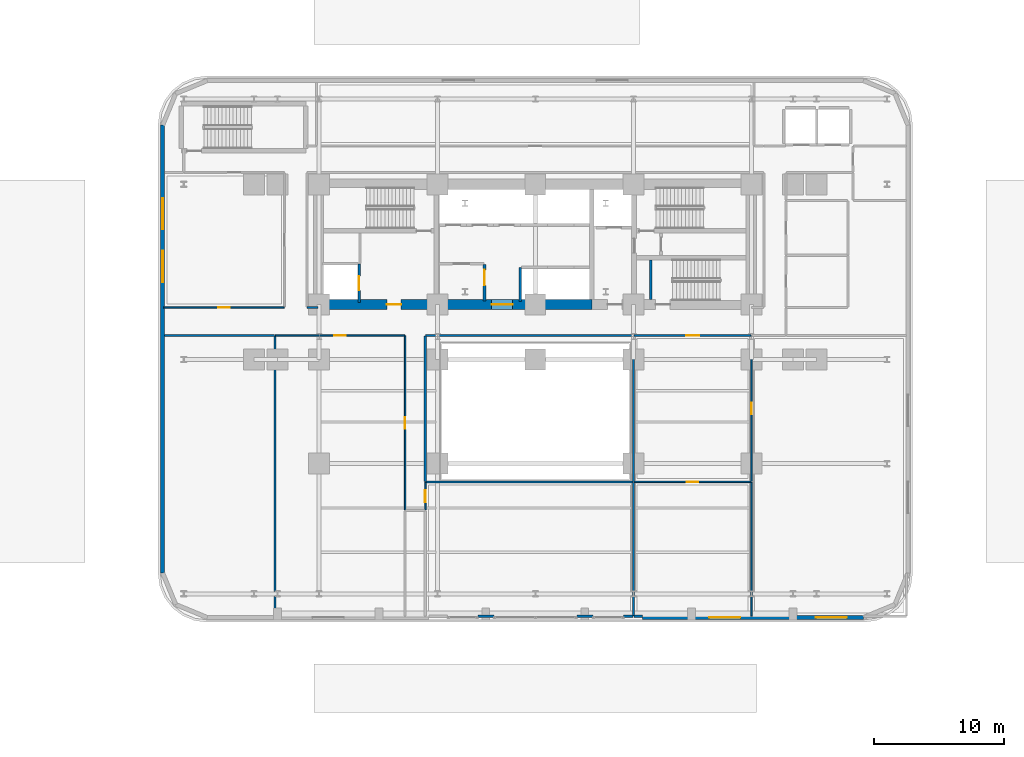
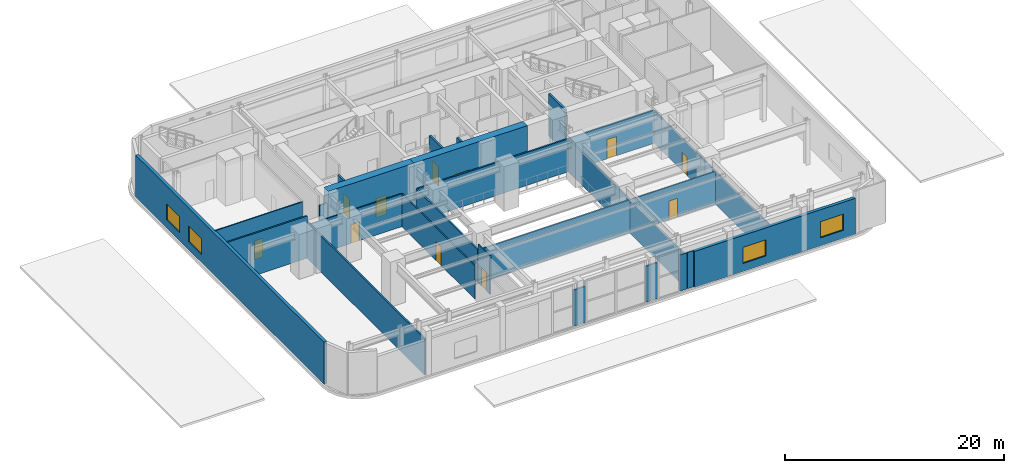
# One storey, part 5 of 12: 28 walls, 11 doors, 4 windows, 15 openings.
"""IFC4 building model written with IfcOpenShell, lengths in metres."""

from ifc_helpers import new_model, si_unit, direction, frame, frame_2d, origin, place, context, subcontext, project, spatial, rectangle, extrude, material, layer, layer_set, type_object, element, fill, save


model = new_model("IFC4")

# Units and contexts
model_context = context("Model", 3, precision=1e-05, world=origin(), true_north=direction((0.0, 1.0)))
body_context = subcontext(model_context, "Body", "Model", "MODEL_VIEW")
ifc_project = project(units=[si_unit("LENGTHUNIT", "METRE"), si_unit("AREAUNIT", "SQUARE_METRE"), si_unit("VOLUMEUNIT", "CUBIC_METRE"), si_unit("PLANEANGLEUNIT", "RADIAN"), si_unit("MASSUNIT", "GRAM", prefix="KILO")], contexts=[model_context])

# Site, building, storey
site_placement = place(None, origin())
site = spatial("IfcSite", under=ifc_project, at=site_placement, CompositionType="ELEMENT")
building_placement = place(site_placement, origin())
building = spatial("IfcBuilding", under=site, at=building_placement, Name="Zarnavel Station Tower", CompositionType="ELEMENT")
storey_placement = place(building_placement, frame((0.0, 0.0, 5.39990234375)))
storey = spatial("IfcBuildingStorey", under=building, at=storey_placement, Name="L02", CompositionType="ELEMENT", Elevation=5.39990234375)

# Wall, opening, door
ifc_material_1 = material(Name="Concrete C60/75", Category="concrete")
ifc_layer_1 = layer(ifc_material_1, 0.800048828125)
ifc_layer_set_1 = layer_set([ifc_layer_1], Name="CW_800")
wall_type_1 = type_object("IfcWallType", Name="CW_800", PredefinedType="SHEAR", material=ifc_layer_set_1)
wall_1_placement = place(storey_placement, frame((21.179931640625, 27.820068359375, 0.0), z_axis=(0.0, 0.0, 1.0), x_axis=(-1.0, 0.0, 0.0)))
wall_1 = element("IfcWall", 1, at=wall_1_placement, inside=storey, type_object=wall_type_1, Name="L02 Rear Core Shear Wall S-W", PredefinedType="SHEAR", context=body_context, shape_type="SweptSolid", body=[
    extrude(rectangle(XDim=9.030029296875, YDim=0.800048828125, at=frame_2d((4.51513671875, 0.0))), origin(), (0.0, 0.0, 1.0), 5.0),
])
opening_1_placement = place(wall_1_placement, frame((2.679931640625, 0.0, 0.0)))
opening_1 = element("IfcOpeningElement", 2, at=opening_1_placement, cuts=wall_1, Name="Opening FD01", PredefinedType="OPENING", context=body_context, shape_type="SweptSolid", body=[
    extrude(rectangle(XDim=1.10009765625, YDim=2.14990234375, at=frame_2d((0.550048828125, 1.074951171875))), frame((0.0, 0.409912109375, 0.0), z_axis=(0.0, -1.0, 0.0), x_axis=(1.0, 0.0, 0.0)), (0.0, 0.0, 1.0), 0.820068359375),
])
ifc_material_2 = material(Name="Painted Galvanised Steel and Hardwood Leaf", Category="steel")
door_type_1 = type_object("IfcDoorType", Name="ID_STAIR_1100", OperationType="NOTDEFINED", PredefinedType="DOOR", material=ifc_material_2)
door_1_placement = place(opening_1_placement, origin())
door_1 = element("IfcDoor", 3, at=door_1_placement, inside=storey, type_object=door_type_1, Name="L02 West Firefighting Lobby Door", OperationType="SINGLE_SWING_RIGHT", OverallHeight=2.14990234375, OverallWidth=1.10009765625, PredefinedType="DOOR", context=body_context, shape_type="SweptSolid", body=[
    extrude(rectangle(XDim=1.10009765625, YDim=2.14990234375, at=frame_2d((0.550048828125, 1.074951171875))), frame((0.0, 0.02490234375, 0.0), z_axis=(0.0, -1.0, 0.0), x_axis=(1.0, 0.0, 0.0)), (0.0, 0.0, 1.0), 0.050048828125),
])
fill(opening_1, door_1)

wall_2_placement = place(storey_placement, frame((33.14990234375, 27.820068359375, 0.0), z_axis=(0.0, 0.0, 1.0), x_axis=(-1.0, 0.0, 0.0)))
wall_2 = element("IfcWall", 4, at=wall_2_placement, inside=storey, type_object=wall_type_1, Name="L02 Rear Core Shear Wall S-M", PredefinedType="SHEAR", context=body_context, shape_type="SweptSolid", body=[
    extrude(rectangle(XDim=11.969970703125, YDim=0.800048828125, at=frame_2d((5.98486328125, 0.0))), origin(), (0.0, 0.0, 1.0), 5.0),
])
opening_2_placement = place(wall_2_placement, frame((6.10009765625, 0.0, 0.0)))
opening_2 = element("IfcOpeningElement", 5, at=opening_2_placement, cuts=wall_2, Name="Opening ID03", PredefinedType="OPENING", context=body_context, shape_type="SweptSolid", body=[
    extrude(rectangle(XDim=1.60009765625, YDim=2.199951171875, at=frame_2d((0.800048828125, 1.10009765625))), frame((0.0, 0.409912109375, 0.0), z_axis=(0.0, -1.0, 0.0), x_axis=(1.0, 0.0, 0.0)), (0.0, 0.0, 1.0), 0.820068359375),
])
ifc_material_3 = material(Name="Painted Galvanised Steel and Hardwood Leaf", Category="steel")
door_type_2 = type_object("IfcDoorType", Name="ID_PUBLIC_1600", OperationType="DOUBLE_DOOR_SINGLE_SWING", PredefinedType="DOOR", material=ifc_material_3)
door_2_placement = place(opening_2_placement, origin())
door_2 = element("IfcDoor", 6, at=door_2_placement, inside=storey, type_object=door_type_2, Name="L02 Passenger Lift Lobby Double Door", OperationType="SINGLE_SWING_LEFT", OverallHeight=2.199951171875, OverallWidth=1.60009765625, PredefinedType="DOOR", context=body_context, shape_type="SweptSolid", body=[
    extrude(rectangle(XDim=1.60009765625, YDim=2.199951171875, at=frame_2d((0.800048828125, 1.10009765625))), frame((0.0, 0.02490234375, 0.0), z_axis=(0.0, -1.0, 0.0), x_axis=(1.0, 0.0, 0.0)), (0.0, 0.0, 1.0), 0.050048828125),
])
fill(opening_2, door_2)

# Wall, openings, windows
ifc_material_4 = material(Name="Precast concrete C45/55 (Podium Basalt Frame)", Category="masonry")
ifc_layer_2 = layer(ifc_material_4, 0.320068359375)
ifc_layer_set_2 = layer_set([ifc_layer_2], Name="EW_BASALT_320")
wall_type_2 = type_object("IfcWallType", Name="EW_BASALT_320", PredefinedType="SOLIDWALL", material=ifc_layer_set_2)
wall_3_placement = place(storey_placement, frame((0.179931640625, 7.199951171875, 0.0), z_axis=(0.0, 0.0, 1.0), x_axis=(0.0, 1.0, 0.0)))
wall_3 = element("IfcWall", 7, at=wall_3_placement, inside=storey, type_object=wall_type_2, Name="L02 Exterior Basalt Masonry Frame Wall 09", PredefinedType="SOLIDWALL", context=body_context, shape_type="SweptSolid", body=[
    extrude(rectangle(XDim=34.400146484375, YDim=0.320068359375, at=frame_2d((17.2001953125, 0.0))), origin(), (0.0, 0.0, 1.0), 4.7001953125),
])
opening_3_placement = place(wall_3_placement, frame((22.35009765625, 0.0, 0.89990234375)))
opening_3 = element("IfcOpeningElement", 8, at=opening_3_placement, cuts=wall_3, Name="Opening WN03", PredefinedType="OPENING", context=body_context, shape_type="SweptSolid", body=[
    extrude(rectangle(XDim=2.39990234375, YDim=1.800048828125, at=frame_2d((1.199951171875, 0.89990234375))), frame((0.0, 0.169921875, 0.0), z_axis=(0.0, -1.0, 0.0), x_axis=(1.0, 0.0, 0.0)), (0.0, 0.0, 1.0), 0.340087890625),
])
opening_4_placement = place(wall_3_placement, frame((26.39990234375, 0.0, 0.89990234375)))
opening_4 = element("IfcOpeningElement", 9, at=opening_4_placement, cuts=wall_3, Name="Opening WN03", PredefinedType="OPENING", context=body_context, shape_type="SweptSolid", body=[
    extrude(rectangle(XDim=2.39990234375, YDim=1.800048828125, at=frame_2d((1.199951171875, 0.89990234375))), frame((0.0, 0.169921875, 0.0), z_axis=(0.0, -1.0, 0.0), x_axis=(1.0, 0.0, 0.0)), (0.0, 0.0, 1.0), 0.340087890625),
])
ifc_material_5 = material(Name="Thermally Broken Black Aluminium and Low-E Dark Glass", Category="aluminium")
window_type = type_object("IfcWindowType", Name="WN_2400x1800", PartitioningType="TRIPLE_PANEL_VERTICAL", PredefinedType="WINDOW", material=ifc_material_5)
window_1_placement = place(opening_3_placement, origin())
window_1 = element("IfcWindow", 10, at=window_1_placement, inside=storey, type_object=window_type, Name="L02 Recessed Facade Window 01", OverallHeight=1.800048828125, OverallWidth=2.39990234375, PartitioningType="SINGLE_PANEL", PredefinedType="WINDOW", context=body_context, shape_type="SweptSolid", body=[
    extrude(rectangle(XDim=2.39990234375, YDim=1.800048828125, at=frame_2d((1.199951171875, 0.89990234375))), frame((0.0, 0.030029296875, 0.0), z_axis=(0.0, -1.0, 0.0), x_axis=(1.0, 0.0, 0.0)), (0.0, 0.0, 1.0), 0.06005859375),
])
fill(opening_3, window_1)
window_2_placement = place(opening_4_placement, origin())
window_2 = element("IfcWindow", 11, at=window_2_placement, inside=storey, type_object=window_type, Name="L02 Recessed Facade Window 02", OverallHeight=1.800048828125, OverallWidth=2.39990234375, PartitioningType="SINGLE_PANEL", PredefinedType="WINDOW", context=body_context, shape_type="SweptSolid", body=[
    extrude(rectangle(XDim=2.39990234375, YDim=1.800048828125, at=frame_2d((1.199951171875, 0.89990234375))), frame((0.0, 0.030029296875, 0.0), z_axis=(0.0, -1.0, 0.0), x_axis=(1.0, 0.0, 0.0)), (0.0, 0.0, 1.0), 0.06005859375),
])
fill(opening_4, window_2)

wall_4_placement = place(storey_placement, frame((54.0, 3.780029296875, 0.0), z_axis=(0.0, 0.0, 1.0), x_axis=(-1.0, 0.0, 0.0)))
wall_4 = element("IfcWall", 12, at=wall_4_placement, inside=storey, type_object=wall_type_2, Name="L02 South East Masonry Facade Wall", PredefinedType="SOLIDWALL", context=body_context, shape_type="SweptSolid", body=[
    extrude(rectangle(XDim=16.949951171875, YDim=0.320068359375, at=frame_2d((8.47509765625, 0.0))), origin(), (0.0, 0.0, 1.0), 4.030029296875),
])
opening_5_placement = place(wall_4_placement, frame((9.451904296875, 0.0, 0.89990234375)))
opening_5 = element("IfcOpeningElement", 13, at=opening_5_placement, cuts=wall_4, Name="Opening WN03", PredefinedType="OPENING", context=body_context, shape_type="SweptSolid", body=[
    extrude(rectangle(XDim=2.39990234375, YDim=1.800048828125, at=frame_2d((1.199951171875, 0.89990234375))), frame((0.0, 0.169921875, 0.0), z_axis=(0.0, -1.0, 0.0), x_axis=(1.0, 0.0, 0.0)), (0.0, 0.0, 1.0), 0.340087890625),
])
opening_6_placement = place(wall_4_placement, frame((1.261962890625, 0.0, 0.89990234375)))
opening_6 = element("IfcOpeningElement", 14, at=opening_6_placement, cuts=wall_4, Name="Opening WN03", PredefinedType="OPENING", context=body_context, shape_type="SweptSolid", body=[
    extrude(rectangle(XDim=2.39990234375, YDim=1.800048828125, at=frame_2d((1.199951171875, 0.89990234375))), frame((0.0, 0.169921875, 0.0), z_axis=(0.0, -1.0, 0.0), x_axis=(1.0, 0.0, 0.0)), (0.0, 0.0, 1.0), 0.340087890625),
])
window_3_placement = place(opening_5_placement, origin())
window_3 = element("IfcWindow", 15, at=window_3_placement, inside=storey, type_object=window_type, Name="L02 Recessed Facade Window 01", OverallHeight=1.800048828125, OverallWidth=2.39990234375, PartitioningType="SINGLE_PANEL", PredefinedType="WINDOW", context=body_context, shape_type="SweptSolid", body=[
    extrude(rectangle(XDim=2.39990234375, YDim=1.800048828125, at=frame_2d((1.199951171875, 0.89990234375))), frame((0.0, 0.030029296875, 0.0), z_axis=(0.0, -1.0, 0.0), x_axis=(1.0, 0.0, 0.0)), (0.0, 0.0, 1.0), 0.06005859375),
])
fill(opening_5, window_3)
window_4_placement = place(opening_6_placement, origin())
window_4 = element("IfcWindow", 16, at=window_4_placement, inside=storey, type_object=window_type, Name="L02 Recessed Facade Window 02", OverallHeight=1.800048828125, OverallWidth=2.39990234375, PartitioningType="SINGLE_PANEL", PredefinedType="WINDOW", context=body_context, shape_type="SweptSolid", body=[
    extrude(rectangle(XDim=2.39990234375, YDim=1.800048828125, at=frame_2d((1.199951171875, 0.89990234375))), frame((0.0, 0.030029296875, 0.0), z_axis=(0.0, -1.0, 0.0), x_axis=(1.0, 0.0, 0.0)), (0.0, 0.0, 1.0), 0.06005859375),
])
fill(opening_6, window_4)

# Wall, opening, door
ifc_material_6 = material(Name="Gypsum Twin-Stud Acoustic Fire Partition", Category="concrete")
ifc_layer_3 = layer(ifc_material_6, 0.159912109375)
ifc_layer_set_3 = layer_set([ifc_layer_3], Name="PT_DEMISE_160")
wall_type_3 = type_object("IfcWallType", Name="PT_DEMISE_160", PredefinedType="PARTITIONING", material=ifc_layer_set_3)
wall_5_placement = place(storey_placement, frame((36.389892578125, 25.449951171875, 0.0), z_axis=(0.0, 0.0, 1.0), x_axis=(1.0, 0.0, 0.0)))
wall_5 = element("IfcWall", 17, at=wall_5_placement, inside=storey, type_object=wall_type_3, Name="L02 Partition PCOR-S-RET3", PredefinedType="PARTITIONING", context=body_context, shape_type="SweptSolid", body=[
    extrude(rectangle(XDim=8.97021484375, YDim=0.159912109375, at=frame_2d((4.485107421875, 0.0))), origin(), (0.0, 0.0, 1.0), 3.672119140625),
])
opening_7_placement = place(wall_5_placement, frame((3.985107421875, 0.0, 0.0)))
opening_7 = element("IfcOpeningElement", 18, at=opening_7_placement, cuts=wall_5, Name="Opening FD02", PredefinedType="OPENING", context=body_context, shape_type="SweptSolid", body=[
    extrude(rectangle(XDim=1.0, YDim=2.14990234375, at=frame_2d((0.5, 1.074951171875))), frame((0.0, 0.08984375, 0.0), z_axis=(0.0, -1.0, 0.0), x_axis=(1.0, 0.0, 0.0)), (0.0, 0.0, 1.0), 0.179931640625),
])
ifc_material_7 = material(Name="Painted Galvanised Steel and Hardwood Leaf", Category="steel")
door_type_3 = type_object("IfcDoorType", Name="ID_ENTRY_1000", OperationType="NOTDEFINED", PredefinedType="DOOR", material=ifc_material_7)
door_3_placement = place(opening_7_placement, origin())
door_3 = element("IfcDoor", 19, at=door_3_placement, inside=storey, type_object=door_type_3, Name="L02 Door PCOR-S-RET3", OperationType="SINGLE_SWING_LEFT", OverallHeight=2.14990234375, OverallWidth=1.0, PredefinedType="DOOR", context=body_context, shape_type="SweptSolid", body=[
    extrude(rectangle(XDim=1.0, YDim=2.14990234375, at=frame_2d((0.5, 1.074951171875))), frame((0.0, 0.02490234375, 0.0), z_axis=(0.0, -1.0, 0.0), x_axis=(1.0, 0.0, 0.0)), (0.0, 0.0, 1.0), 0.050048828125),
])
fill(opening_7, door_3)

# Walls
wall_6_placement = place(storey_placement, frame((36.35009765625, 3.8798828125, 0.0), z_axis=(0.0, 0.0, 1.0), x_axis=(0.0, 1.0, 0.0)))
element("IfcWall", 20, at=wall_6_placement, inside=storey, type_object=wall_type_3, Name="L02 Partition CAFE-RET1", PredefinedType="PARTITIONING", context=body_context, shape_type="SweptSolid", body=[
    extrude(rectangle(XDim=10.280029296875, YDim=0.159912109375, at=frame_2d((5.14013671875, 0.0))), origin(), (0.0, 0.0, 1.0), 3.672119140625),
])
wall_7_placement = place(storey_placement, frame((0.31005859375, 25.449951171875, 0.0), z_axis=(0.0, 0.0, 1.0), x_axis=(1.0, 0.0, 0.0)))
element("IfcWall", 21, at=wall_7_placement, inside=storey, type_object=wall_type_3, Name="L02 Enclosure Wall PCOR-S", PredefinedType="PARTITIONING", context=body_context, shape_type="SweptSolid", body=[
    extrude(rectangle(XDim=8.4599609375, YDim=0.159912109375, at=frame_2d((4.22998046875, 0.0))), origin(), (0.0, 0.0, 1.0), 4.7001953125),
])
wall_8_placement = place(storey_placement, frame((20.3798828125, 25.449951171875, 0.0), z_axis=(0.0, 0.0, 1.0), x_axis=(1.0, 0.0, 0.0)))
element("IfcWall", 22, at=wall_8_placement, inside=storey, type_object=wall_type_3, Name="L02 Enclosure Wall PCOR-S", PredefinedType="PARTITIONING", context=body_context, shape_type="SweptSolid", body=[
    extrude(rectangle(XDim=15.940185546875, YDim=0.159912109375, at=frame_2d((7.97021484375, 0.0))), origin(), (0.0, 0.0, 1.0), 3.672119140625),
])
wall_9_placement = place(storey_placement, frame((11.280029296875, 27.60009765625, 0.0), z_axis=(0.0, 0.0, 1.0), x_axis=(1.0, 0.0, 0.0)))
element("IfcWall", 23, at=wall_9_placement, inside=storey, type_object=wall_type_3, Name="L02 Enclosure Wall PCOR-S", PredefinedType="PARTITIONING", context=body_context, shape_type="SweptSolid", body=[
    extrude(rectangle(XDim=0.840087890625, YDim=0.159912109375, at=frame_2d((0.419921875, 0.0))), origin(), (0.0, 0.0, 1.0), 3.672119140625),
])
wall_10_placement = place(storey_placement, frame((20.35009765625, 14.22998046875, 0.0), z_axis=(0.0, 0.0, 1.0), x_axis=(0.0, 1.0, 0.0)))
element("IfcWall", 24, at=wall_10_placement, inside=storey, type_object=wall_type_3, Name="L02 Enclosure Wall PCOR-AW", PredefinedType="PARTITIONING", context=body_context, shape_type="SweptSolid", body=[
    extrude(rectangle(XDim=11.18994140625, YDim=0.159912109375, at=frame_2d((5.594970703125, 0.0))), origin(), (0.0, 0.0, 1.0), 3.672119140625),
])
wall_11_placement = place(storey_placement, frame((8.800048828125, 3.909912109375, 0.0), z_axis=(0.0, 0.0, 1.0), x_axis=(0.0, 1.0, 0.0)))
element("IfcWall", 25, at=wall_11_placement, inside=storey, type_object=wall_type_3, Name="L02 Enclosure Wall MEZZ", PredefinedType="PARTITIONING", context=body_context, shape_type="SweptSolid", body=[
    extrude(rectangle(XDim=21.510009765625, YDim=0.159912109375, at=frame_2d((10.7548828125, 0.0))), origin(), (0.0, 0.0, 1.0), 4.030029296875),
])
for number, where, z_axis, x_axis, name in (
    (26, (24.385986328125, 3.8798828125, 0.0), (0.0, 0.0, 1.0), (1.0, 0.0, 0.0), "L02 Enclosure Wall CAFE"),
    (27, (31.986083984375, 3.8798828125, 0.0), (0.0, 0.0, 1.0), (1.0, 0.0, 0.0), "L02 Enclosure Wall CAFE"),
):
    element("IfcWall", number, at=place(storey_placement, frame(where, z_axis=z_axis, x_axis=x_axis)), inside=storey, type_object=wall_type_3, Name=name, PredefinedType="PARTITIONING", context=body_context, shape_type="SweptSolid", body=[
        extrude(rectangle(XDim=1.22802734375, YDim=0.159912109375, at=frame_2d((0.614013671875, 0.0))), origin(), (0.0, 0.0, 1.0), 4.030029296875),
    ])
wall_12_placement = place(storey_placement, frame((35.580078125, 3.8798828125, 0.0), z_axis=(0.0, 0.0, 1.0), x_axis=(1.0, 0.0, 0.0)))
element("IfcWall", 28, at=wall_12_placement, inside=storey, type_object=wall_type_3, Name="L02 Enclosure Wall CAFE", PredefinedType="PARTITIONING", context=body_context, shape_type="SweptSolid", body=[
    extrude(rectangle(XDim=0.739990234375, YDim=0.159912109375, at=frame_2d((0.3701171875, 0.0))), origin(), (0.0, 0.0, 1.0), 4.030029296875),
])
wall_13_placement = place(storey_placement, frame((20.3798828125, 14.199951171875, 0.0), z_axis=(0.0, 0.0, 1.0), x_axis=(1.0, 0.0, 0.0)))
element("IfcWall", 29, at=wall_13_placement, inside=storey, type_object=wall_type_3, Name="L02 Enclosure Wall CAFE", PredefinedType="PARTITIONING", context=body_context, shape_type="SweptSolid", body=[
    extrude(rectangle(XDim=15.940185546875, YDim=0.159912109375, at=frame_2d((7.97021484375, 0.0))), origin(), (0.0, 0.0, 1.0), 3.672119140625),
])
wall_14_placement = place(storey_placement, frame((36.3798828125, 3.8798828125, 0.0), z_axis=(0.0, 0.0, 1.0), x_axis=(1.0, 0.0, 0.0)))
element("IfcWall", 30, at=wall_14_placement, inside=storey, type_object=wall_type_3, Name="L02 Enclosure Wall RET1", PredefinedType="PARTITIONING", context=body_context, shape_type="SweptSolid", body=[
    extrude(rectangle(XDim=0.64013671875, YDim=0.159912109375, at=frame_2d((0.320068359375, 0.0))), origin(), (0.0, 0.0, 1.0), 4.030029296875),
])
wall_15_placement = place(storey_placement, frame((36.35009765625, 14.22998046875, 0.0), z_axis=(0.0, 0.0, 1.0), x_axis=(0.0, 1.0, 0.0)))
element("IfcWall", 31, at=wall_15_placement, inside=storey, type_object=wall_type_3, Name="L02 Enclosure Wall RET3", PredefinedType="PARTITIONING", context=body_context, shape_type="SweptSolid", body=[
    extrude(rectangle(XDim=11.18994140625, YDim=0.159912109375, at=frame_2d((5.594970703125, 0.0))), origin(), (0.0, 0.0, 1.0), 3.672119140625),
])

# Wall, opening, door
ifc_material_8 = material(Name="Gypsum Metal-Stud Interior Partition", Category="concrete")
ifc_layer_4 = layer(ifc_material_8, 0.1201171875)
ifc_layer_set_4 = layer_set([ifc_layer_4], Name="PT_ROOM_120")
wall_type_4 = type_object("IfcWallType", Name="PT_ROOM_120", PredefinedType="PARTITIONING", material=ifc_layer_set_4)
wall_16_placement = place(storey_placement, frame((0.280029296875, 27.60009765625, 0.0), z_axis=(0.0, 0.0, 1.0), x_axis=(1.0, 0.0, 0.0)))
wall_16 = element("IfcWall", 32, at=wall_16_placement, inside=storey, type_object=wall_type_4, Name="L02 Partition PCOR-S-PNW", PredefinedType="PARTITIONING", context=body_context, shape_type="SweptSolid", body=[
    extrude(rectangle(XDim=9.22998046875, YDim=0.1201171875, at=frame_2d((4.614990234375, 0.0))), origin(), (0.0, 0.0, 1.0), 4.7001953125),
])
opening_8_placement = place(wall_16_placement, frame((4.1650390625, 0.0, 0.0)))
opening_8 = element("IfcOpeningElement", 33, at=opening_8_placement, cuts=wall_16, Name="Opening ID01", PredefinedType="OPENING", context=body_context, shape_type="SweptSolid", body=[
    extrude(rectangle(XDim=0.89990234375, YDim=2.10009765625, at=frame_2d((0.449951171875, 1.050048828125))), frame((0.0, 0.070068359375, 0.0), z_axis=(0.0, -1.0, 0.0), x_axis=(1.0, 0.0, 0.0)), (0.0, 0.0, 1.0), 0.14013671875),
])
ifc_material_9 = material(Name="Painted Galvanised Steel and Hardwood Leaf", Category="steel")
door_type_4 = type_object("IfcDoorType", Name="ID_ROOM_900", OperationType="NOTDEFINED", PredefinedType="DOOR", material=ifc_material_9)
door_4_placement = place(opening_8_placement, origin())
door_4 = element("IfcDoor", 34, at=door_4_placement, inside=storey, type_object=door_type_4, Name="L02 Door PCOR-S-PNW", OperationType="SINGLE_SWING_LEFT", OverallHeight=2.10009765625, OverallWidth=0.89990234375, PredefinedType="DOOR", context=body_context, shape_type="SweptSolid", body=[
    extrude(rectangle(XDim=0.89990234375, YDim=2.10009765625, at=frame_2d((0.449951171875, 1.050048828125))), frame((0.0, 0.02490234375, 0.0), z_axis=(0.0, -1.0, 0.0), x_axis=(1.0, 0.0, 0.0)), (0.0, 0.0, 1.0), 0.050048828125),
])
fill(opening_8, door_4)

wall_17_placement = place(storey_placement, frame((8.840087890625, 25.449951171875, 0.0), z_axis=(0.0, 0.0, 1.0), x_axis=(1.0, 0.0, 0.0)))
wall_17 = element("IfcWall", 35, at=wall_17_placement, inside=storey, type_object=wall_type_4, Name="L02 Partition PCOR-S-MEZZ", PredefinedType="PARTITIONING", context=body_context, shape_type="SweptSolid", body=[
    extrude(rectangle(XDim=9.919921875, YDim=0.1201171875, at=frame_2d((4.9599609375, 0.0))), origin(), (0.0, 0.0, 1.0), 3.672119140625),
])
opening_9_placement = place(wall_17_placement, frame((4.510009765625, 0.0, 0.0)))
opening_9 = element("IfcOpeningElement", 36, at=opening_9_placement, cuts=wall_17, Name="Opening ID01", PredefinedType="OPENING", context=body_context, shape_type="SweptSolid", body=[
    extrude(rectangle(XDim=0.89990234375, YDim=2.10009765625, at=frame_2d((0.449951171875, 1.050048828125))), frame((0.0, 0.070068359375, 0.0), z_axis=(0.0, -1.0, 0.0), x_axis=(1.0, 0.0, 0.0)), (0.0, 0.0, 1.0), 0.14013671875),
])
door_5_placement = place(opening_9_placement, origin())
door_5 = element("IfcDoor", 37, at=door_5_placement, inside=storey, type_object=door_type_4, Name="L02 Door PCOR-S-MEZZ", OperationType="SINGLE_SWING_RIGHT", OverallHeight=2.10009765625, OverallWidth=0.89990234375, PredefinedType="DOOR", context=body_context, shape_type="SweptSolid", body=[
    extrude(rectangle(XDim=0.89990234375, YDim=2.10009765625, at=frame_2d((0.449951171875, 1.050048828125))), frame((0.0, 0.02490234375, 0.0), z_axis=(0.0, -1.0, 0.0), x_axis=(1.0, 0.0, 0.0)), (0.0, 0.0, 1.0), 0.050048828125),
])
fill(opening_9, door_5)

wall_18_placement = place(storey_placement, frame((18.800048828125, 12.0400390625, 0.0), z_axis=(0.0, 0.0, 1.0), x_axis=(0.0, 1.0, 0.0)))
wall_18 = element("IfcWall", 38, at=wall_18_placement, inside=storey, type_object=wall_type_4, Name="L02 Partition PCOR-AW-MEZZ", PredefinedType="PARTITIONING", context=body_context, shape_type="SweptSolid", body=[
    extrude(rectangle(XDim=13.369873046875, YDim=0.1201171875, at=frame_2d((6.68505859375, 0.0))), origin(), (0.0, 0.0, 1.0), 3.672119140625),
])
opening_10_placement = place(wall_18_placement, frame((6.235107421875, 0.0, 0.0)))
opening_10 = element("IfcOpeningElement", 39, at=opening_10_placement, cuts=wall_18, Name="Opening ID01", PredefinedType="OPENING", context=body_context, shape_type="SweptSolid", body=[
    extrude(rectangle(XDim=0.89990234375, YDim=2.10009765625, at=frame_2d((0.449951171875, 1.050048828125))), frame((0.0, 0.070068359375, 0.0), z_axis=(0.0, -1.0, 0.0), x_axis=(1.0, 0.0, 0.0)), (0.0, 0.0, 1.0), 0.14013671875),
])
door_6_placement = place(opening_10_placement, origin())
door_6 = element("IfcDoor", 40, at=door_6_placement, inside=storey, type_object=door_type_4, Name="L02 Door PCOR-AW-MEZZ", OperationType="SINGLE_SWING_RIGHT", OverallHeight=2.10009765625, OverallWidth=0.89990234375, PredefinedType="DOOR", context=body_context, shape_type="SweptSolid", body=[
    extrude(rectangle(XDim=0.89990234375, YDim=2.10009765625, at=frame_2d((0.449951171875, 1.050048828125))), frame((0.0, 0.02490234375, 0.0), z_axis=(0.0, -1.0, 0.0), x_axis=(1.0, 0.0, 0.0)), (0.0, 0.0, 1.0), 0.050048828125),
])
fill(opening_10, door_6)

wall_19_placement = place(storey_placement, frame((20.35009765625, 12.0400390625, 0.0), z_axis=(0.0, 0.0, 1.0), x_axis=(0.0, 1.0, 0.0)))
wall_19 = element("IfcWall", 41, at=wall_19_placement, inside=storey, type_object=wall_type_4, Name="L02 Partition PCOR-AW-CAFE", PredefinedType="PARTITIONING", context=body_context, shape_type="SweptSolid", body=[
    extrude(rectangle(XDim=2.119873046875, YDim=0.1201171875, at=frame_2d((1.06005859375, 0.0))), origin(), (0.0, 0.0, 1.0), 4.320068359375),
])
opening_11_placement = place(wall_19_placement, frame((0.610107421875, 0.0, 0.0)))
opening_11 = element("IfcOpeningElement", 42, at=opening_11_placement, cuts=wall_19, Name="Opening ID01", PredefinedType="OPENING", context=body_context, shape_type="SweptSolid", body=[
    extrude(rectangle(XDim=0.89990234375, YDim=2.10009765625, at=frame_2d((0.449951171875, 1.050048828125))), frame((0.0, 0.070068359375, 0.0), z_axis=(0.0, -1.0, 0.0), x_axis=(1.0, 0.0, 0.0)), (0.0, 0.0, 1.0), 0.14013671875),
])
door_7_placement = place(opening_11_placement, origin())
door_7 = element("IfcDoor", 43, at=door_7_placement, inside=storey, type_object=door_type_4, Name="L02 Door PCOR-AW-CAFE", OperationType="SINGLE_SWING_LEFT", OverallHeight=2.10009765625, OverallWidth=0.89990234375, PredefinedType="DOOR", context=body_context, shape_type="SweptSolid", body=[
    extrude(rectangle(XDim=0.89990234375, YDim=2.10009765625, at=frame_2d((0.449951171875, 1.050048828125))), frame((0.0, 0.02490234375, 0.0), z_axis=(0.0, -1.0, 0.0), x_axis=(1.0, 0.0, 0.0)), (0.0, 0.0, 1.0), 0.050048828125),
])
fill(opening_11, door_7)

wall_20_placement = place(storey_placement, frame((36.389892578125, 14.199951171875, 0.0), z_axis=(0.0, 0.0, 1.0), x_axis=(1.0, 0.0, 0.0)))
wall_20 = element("IfcWall", 44, at=wall_20_placement, inside=storey, type_object=wall_type_4, Name="L02 Partition RET1-RET3", PredefinedType="PARTITIONING", context=body_context, shape_type="SweptSolid", body=[
    extrude(rectangle(XDim=8.97021484375, YDim=0.1201171875, at=frame_2d((4.485107421875, 0.0))), origin(), (0.0, 0.0, 1.0), 3.672119140625),
])
opening_12_placement = place(wall_20_placement, frame((4.034912109375, 0.0, 0.0)))
opening_12 = element("IfcOpeningElement", 45, at=opening_12_placement, cuts=wall_20, Name="Opening ID01", PredefinedType="OPENING", context=body_context, shape_type="SweptSolid", body=[
    extrude(rectangle(XDim=0.89990234375, YDim=2.10009765625, at=frame_2d((0.449951171875, 1.050048828125))), frame((0.0, 0.070068359375, 0.0), z_axis=(0.0, -1.0, 0.0), x_axis=(1.0, 0.0, 0.0)), (0.0, 0.0, 1.0), 0.14013671875),
])
door_8_placement = place(opening_12_placement, origin())
door_8 = element("IfcDoor", 46, at=door_8_placement, inside=storey, type_object=door_type_4, Name="L02 Door RET1-RET3", OperationType="SINGLE_SWING_RIGHT", OverallHeight=2.10009765625, OverallWidth=0.89990234375, PredefinedType="DOOR", context=body_context, shape_type="SweptSolid", body=[
    extrude(rectangle(XDim=0.89990234375, YDim=2.10009765625, at=frame_2d((0.449951171875, 1.050048828125))), frame((0.0, 0.02490234375, 0.0), z_axis=(0.0, -1.0, 0.0), x_axis=(1.0, 0.0, 0.0)), (0.0, 0.0, 1.0), 0.050048828125),
])
fill(opening_12, door_8)

# Wall
wall_21_placement = place(storey_placement, frame((45.39990234375, 3.8798828125, 0.0), z_axis=(0.0, 0.0, 1.0), x_axis=(0.0, 1.0, 0.0)))
element("IfcWall", 47, at=wall_21_placement, inside=storey, type_object=wall_type_4, Name="L02 Partition RET1-RET4", PredefinedType="PARTITIONING", context=body_context, shape_type="SweptSolid", body=[
    extrude(rectangle(XDim=10.280029296875, YDim=0.1201171875, at=frame_2d((5.14013671875, 0.0))), origin(), (0.0, 0.0, 1.0), 3.672119140625),
])

# Wall, opening, door
wall_22_placement = place(storey_placement, frame((45.39990234375, 14.239990234375, 0.0), z_axis=(0.0, 0.0, 1.0), x_axis=(0.0, 1.0, 0.0)))
wall_22 = element("IfcWall", 48, at=wall_22_placement, inside=storey, type_object=wall_type_4, Name="L02 Partition RET3-RET4", PredefinedType="PARTITIONING", context=body_context, shape_type="SweptSolid", body=[
    extrude(rectangle(XDim=11.169921875, YDim=0.1201171875, at=frame_2d((5.5849609375, 0.0))), origin(), (0.0, 0.0, 1.0), 3.672119140625),
])
opening_13_placement = place(wall_22_placement, frame((5.135009765625, 0.0, 0.0)))
opening_13 = element("IfcOpeningElement", 49, at=opening_13_placement, cuts=wall_22, Name="Opening ID01", PredefinedType="OPENING", context=body_context, shape_type="SweptSolid", body=[
    extrude(rectangle(XDim=0.89990234375, YDim=2.10009765625, at=frame_2d((0.449951171875, 1.050048828125))), frame((0.0, 0.070068359375, 0.0), z_axis=(0.0, -1.0, 0.0), x_axis=(1.0, 0.0, 0.0)), (0.0, 0.0, 1.0), 0.14013671875),
])
door_9_placement = place(opening_13_placement, origin())
door_9 = element("IfcDoor", 50, at=door_9_placement, inside=storey, type_object=door_type_4, Name="L02 Door RET3-RET4", OperationType="SINGLE_SWING_LEFT", OverallHeight=2.10009765625, OverallWidth=0.89990234375, PredefinedType="DOOR", context=body_context, shape_type="SweptSolid", body=[
    extrude(rectangle(XDim=0.89990234375, YDim=2.10009765625, at=frame_2d((0.449951171875, 1.050048828125))), frame((0.0, 0.02490234375, 0.0), z_axis=(0.0, -1.0, 0.0), x_axis=(1.0, 0.0, 0.0)), (0.0, 0.0, 1.0), 0.050048828125),
])
fill(opening_13, door_9)

ifc_material_10 = material(Name="Precast concrete C45/55 (Fire Shaft Blockwork)", Category="masonry")
ifc_layer_5 = layer(ifc_material_10, 0.199951171875)
ifc_layer_set_5 = layer_set([ifc_layer_5], Name="PT_SHAFT_200")
wall_type_5 = type_object("IfcWallType", Name="PT_SHAFT_200", PredefinedType="PARTITIONING", material=ifc_layer_set_5)
wall_23_placement = place(storey_placement, frame((15.27001953125, 27.969970703125, 0.0), z_axis=(0.0, 0.0, 1.0), x_axis=(0.0, 1.0, 0.0)))
wall_23 = element("IfcWall", 51, at=wall_23_placement, inside=storey, type_object=wall_type_5, Name="L02 Lift FFL-01 Shaft Front Wall", PredefinedType="PARTITIONING", context=body_context, shape_type="SweptSolid", body=[
    extrude(rectangle(XDim=2.9599609375, YDim=0.199951171875, at=frame_2d((1.47998046875, 0.0))), origin(), (0.0, 0.0, 1.0), 3.672119140625),
])
opening_14_placement = place(wall_23_placement, frame((0.929931640625, 0.0, 0.0)))
opening_14 = element("IfcOpeningElement", 52, at=opening_14_placement, cuts=wall_23, Name="Opening LD01", PredefinedType="OPENING", context=body_context, shape_type="SweptSolid", body=[
    extrude(rectangle(XDim=1.10009765625, YDim=2.14990234375, at=frame_2d((0.550048828125, 1.074951171875))), frame((0.0, 0.10986328125, 0.0), z_axis=(0.0, -1.0, 0.0), x_axis=(1.0, 0.0, 0.0)), (0.0, 0.0, 1.0), 0.219970703125),
])
ifc_material_11 = material(Name="Painted Galvanised Steel and Hardwood Leaf", Category="steel")
door_type_5 = type_object("IfcDoorType", Name="LD_FF_1100", OperationType="DOUBLE_DOOR_SLIDING", PredefinedType="DOOR", material=ifc_material_11)
door_10_placement = place(opening_14_placement, origin())
door_10 = element("IfcDoor", 53, at=door_10_placement, inside=storey, type_object=door_type_5, Name="L02 Lift FFL-01 Sliding Landing Door", OperationType="DOUBLE_DOOR_SLIDING", OverallHeight=2.14990234375, OverallWidth=1.10009765625, PredefinedType="DOOR", context=body_context, shape_type="SweptSolid", body=[
    extrude(rectangle(XDim=1.10009765625, YDim=2.14990234375, at=frame_2d((0.550048828125, 1.074951171875))), frame((0.0, 0.02490234375, 0.0), z_axis=(0.0, -1.0, 0.0), x_axis=(1.0, 0.0, 0.0)), (0.0, 0.0, 1.0), 0.050048828125),
])
fill(opening_14, door_10)

# Walls
wall_24_placement = place(storey_placement, frame((27.64990234375, 28.070068359375, 0.0), z_axis=(0.0, 0.0, 1.0), x_axis=(0.0, 1.0, 0.0)))
element("IfcWall", 54, at=wall_24_placement, inside=storey, type_object=wall_type_5, Name="L02 High-Rise Lift Bank West Shaft Wall", PredefinedType="PARTITIONING", context=body_context, shape_type="SweptSolid", body=[
    extrude(rectangle(XDim=2.579833984375, YDim=0.199951171875, at=frame_2d((1.2900390625, 0.0))), origin(), (0.0, 0.0, 1.0), 3.672119140625),
])
wall_25_placement = place(storey_placement, frame((37.679931640625, 28.219970703125, 0.0), z_axis=(0.0, 0.0, 1.0), x_axis=(0.0, 1.0, 0.0)))
element("IfcWall", 55, at=wall_25_placement, inside=storey, type_object=wall_type_5, Name="L02 Stair ST3 West Shaft Wall", PredefinedType="PARTITIONING", context=body_context, shape_type="SweptSolid", body=[
    extrude(rectangle(XDim=3.030029296875, YDim=0.199951171875, at=frame_2d((1.51513671875, 0.0))), origin(), (0.0, 0.0, 1.0), 4.7001953125),
])

# Wall, opening, door
wall_26_placement = place(storey_placement, frame((24.89990234375, 28.090087890625, 0.0), z_axis=(0.0, 0.0, 1.0), x_axis=(0.0, 1.0, 0.0)))
wall_26 = element("IfcWall", 56, at=wall_26_placement, inside=storey, type_object=wall_type_5, Name="L02 Partition LLOBS-CS1", PredefinedType="PARTITIONING", context=body_context, shape_type="SweptSolid", body=[
    extrude(rectangle(XDim=2.81982421875, YDim=0.199951171875, at=frame_2d((1.409912109375, 0.0))), origin(), (0.0, 0.0, 1.0), 4.7001953125),
])
opening_15_placement = place(wall_26_placement, frame((1.20068359375, 0.0, 0.0)))
opening_15 = element("IfcOpeningElement", 57, at=opening_15_placement, cuts=wall_26, Name="Opening FD03", PredefinedType="OPENING", context=body_context, shape_type="SweptSolid", body=[
    extrude(rectangle(XDim=1.199951171875, YDim=2.14990234375, at=frame_2d((0.60009765625, 1.074951171875))), frame((0.0, 0.10986328125, 0.0), z_axis=(0.0, -1.0, 0.0), x_axis=(1.0, 0.0, 0.0)), (0.0, 0.0, 1.0), 0.219970703125),
])
ifc_material_12 = material(Name="Painted Galvanised Steel and Hardwood Leaf", Category="steel")
door_type_6 = type_object("IfcDoorType", Name="ID_PLANT_1200", OperationType="NOTDEFINED", PredefinedType="DOOR", material=ifc_material_12)
door_11_placement = place(opening_15_placement, origin())
door_11 = element("IfcDoor", 58, at=door_11_placement, inside=storey, type_object=door_type_6, Name="L02 Door LLOBS-CS1", OperationType="SINGLE_SWING_RIGHT", OverallHeight=2.14990234375, OverallWidth=1.199951171875, PredefinedType="DOOR", context=body_context, shape_type="SweptSolid", body=[
    extrude(rectangle(XDim=1.199951171875, YDim=2.14990234375, at=frame_2d((0.60009765625, 1.074951171875))), frame((0.0, 0.02490234375, 0.0), z_axis=(0.0, -1.0, 0.0), x_axis=(1.0, 0.0, 0.0)), (0.0, 0.0, 1.0), 0.050048828125),
])
fill(opening_15, door_11)

save(model, "model.ifc")
